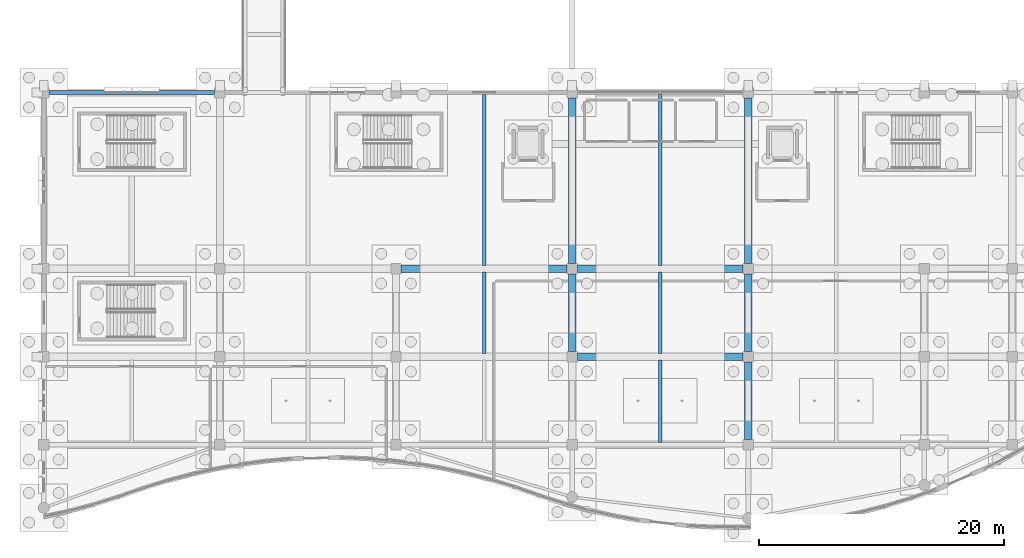
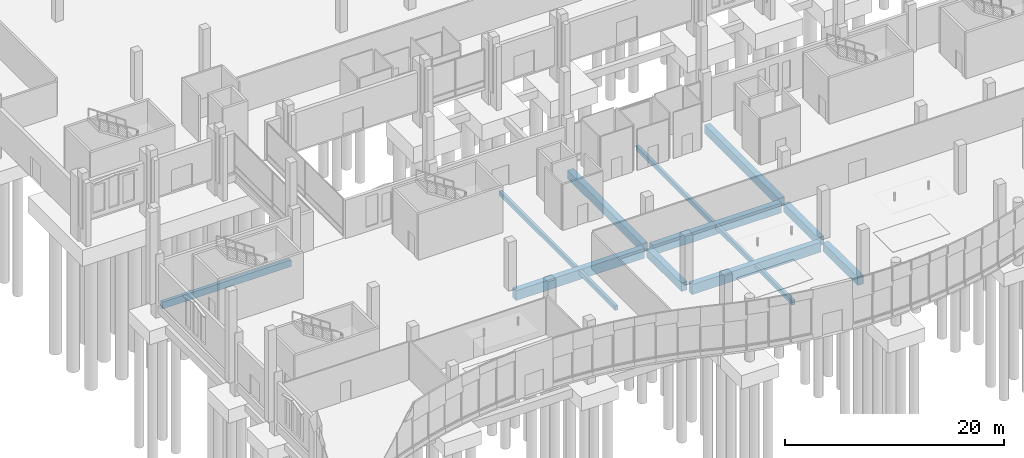
# One storey, part 33 of 192: 14 beams.
"""IFC4 building model written with IfcOpenShell, lengths in metres."""

from ifc_helpers import new_model, si_unit, direction, frame, origin, origin_2d, place, context, subcontext, project, spatial, rectangle, extrude, material, material_profile, profile_set, type_object, element, save


model = new_model("IFC4")

# Units and contexts
model_context = context("Model", 3, precision=1e-05, world=origin(), true_north=direction((0.0, 1.0)))
body_context = subcontext(model_context, "Body", "Model", "MODEL_VIEW")
ifc_project = project(units=[si_unit("LENGTHUNIT", "METRE"), si_unit("AREAUNIT", "SQUARE_METRE"), si_unit("VOLUMEUNIT", "CUBIC_METRE"), si_unit("PLANEANGLEUNIT", "RADIAN"), si_unit("MASSUNIT", "GRAM", prefix="KILO")], contexts=[model_context])

# Site, building, storey
site_placement = place(None, origin())
site = spatial("IfcSite", under=ifc_project, at=site_placement, CompositionType="ELEMENT")
building_placement = place(site_placement, origin())
building = spatial("IfcBuilding", under=site, at=building_placement, Name="Cendralis Lancet Convention Centre", CompositionType="ELEMENT")
storey_placement = place(building_placement, origin())
storey = spatial("IfcBuildingStorey", under=building, at=storey_placement, Name="L00", CompositionType="ELEMENT", Elevation=0.0)

# Beams
ifc_material_1 = material(Name="Concrete G40 (C40/50)", Category="concrete")
ifc_material_profile_1 = material_profile(ifc_material_1, rectangle(XDim=0.60009765625, YDim=1.10009765625, at=origin_2d()), Name="RCB 600x1100")
ifc_profile_set_1 = profile_set([ifc_material_profile_1], Name="Concrete G40 (C40/50)")
beam_type_1 = type_object("IfcBeamType", Name="STR-BM-BG02", PredefinedType="BEAM", material=ifc_profile_set_1)
beam_1_placement = place(storey_placement, frame((43.625, 14.39990234375, -0.8701171875), z_axis=(1.0, 0.0, 0.0), x_axis=(0.0, 1.0, 0.0)))
element("IfcBeam", 1, at=beam_1_placement, inside=storey, type_object=beam_type_1, Name="L00 Beam BG02 #0665", PredefinedType="BEAM", context=body_context, shape_type="SweptSolid", body=[
    extrude(rectangle(XDim=0.60009765625, YDim=1.10009765625, at=origin_2d()), origin(), (0.0, 0.0, 1.0), 13.550048828125),
])
beam_2_placement = place(storey_placement, frame((29.22509765625, 21.60009765625, -0.8701171875), z_axis=(1.0, 0.0, 0.0), x_axis=(0.0, 1.0, 0.0)))
element("IfcBeam", 2, at=beam_2_placement, inside=storey, type_object=beam_type_1, Name="L00 Beam BG02 #0674", PredefinedType="BEAM", context=body_context, shape_type="SweptSolid", body=[
    extrude(rectangle(XDim=0.60009765625, YDim=1.10009765625, at=origin_2d()), origin(), (0.0, 0.0, 1.0), 13.5498046875),
])
beam_3_placement = place(storey_placement, frame((43.625, 21.60009765625, -0.8701171875), z_axis=(1.0, 0.0, 0.0), x_axis=(0.0, 1.0, 0.0)))
element("IfcBeam", 3, at=beam_3_placement, inside=storey, type_object=beam_type_1, Name="L00 Beam BG02 #0675", PredefinedType="BEAM", context=body_context, shape_type="SweptSolid", body=[
    extrude(rectangle(XDim=0.60009765625, YDim=1.10009765625, at=origin_2d()), origin(), (0.0, 0.0, 1.0), 13.550048828125),
])
ifc_material_profile_2 = material_profile(ifc_material_1, rectangle(XDim=0.60009765625, YDim=0.949951171875, at=origin_2d()), Name="RCB 600x950")
ifc_profile_set_2 = profile_set([ifc_material_profile_2], Name="Concrete G40 (C40/50)")
beam_type_2 = type_object("IfcBeamType", Name="STR-BM-BG04", PredefinedType="BEAM", material=ifc_profile_set_2)
beam_4_placement = place(storey_placement, frame((43.199951171875, 14.824951171875, -0.794921875), z_axis=(0.0, 1.0, 0.0), x_axis=(-1.0, 0.0, 0.0)))
element("IfcBeam", 4, at=beam_4_placement, inside=storey, type_object=beam_type_2, Name="L00 Beam BG04 #0701", PredefinedType="BEAM", context=body_context, shape_type="SweptSolid", body=[
    extrude(rectangle(XDim=0.60009765625, YDim=0.949951171875, at=origin_2d()), origin(), (0.0, 0.0, 1.0), 6.35009765625),
])
beam_5_placement = place(storey_placement, frame((43.199951171875, 22.02490234375, -0.794921875), z_axis=(0.0, 1.0, 0.0), x_axis=(-1.0, 0.0, 0.0)))
element("IfcBeam", 5, at=beam_5_placement, inside=storey, type_object=beam_type_2, Name="L00 Beam BG04 #0702", PredefinedType="BEAM", context=body_context, shape_type="SweptSolid", body=[
    extrude(rectangle(XDim=0.60009765625, YDim=0.949951171875, at=origin_2d()), origin(), (0.0, 0.0, 1.0), 13.550048828125),
])
for number, where, z_axis, x_axis, name in (
    (6, (57.60009765625, 7.625, -0.794921875), (0.0, 1.0, 0.0), (-1.0, 0.0, 0.0), "L00 Beam BG04 #0703"),
    (7, (57.60009765625, 14.824951171875, -0.794921875), (0.0, 1.0, 0.0), (-1.0, 0.0, 0.0), "L00 Beam BG04 #0704"),
):
    element("IfcBeam", number, at=place(storey_placement, frame(where, z_axis=z_axis, x_axis=x_axis)), inside=storey, type_object=beam_type_2, Name=name, PredefinedType="BEAM", context=body_context, shape_type="SweptSolid", body=[
        extrude(rectangle(XDim=0.60009765625, YDim=0.949951171875, at=origin_2d()), origin(), (0.0, 0.0, 1.0), 6.35009765625),
    ])
beam_6_placement = place(storey_placement, frame((57.60009765625, 22.02490234375, -0.794921875), z_axis=(0.0, 1.0, 0.0), x_axis=(-1.0, 0.0, 0.0)))
element("IfcBeam", 8, at=beam_6_placement, inside=storey, type_object=beam_type_2, Name="L00 Beam BG04 #0705", PredefinedType="BEAM", context=body_context, shape_type="SweptSolid", body=[
    extrude(rectangle(XDim=0.60009765625, YDim=0.949951171875, at=origin_2d()), origin(), (0.0, 0.0, 1.0), 13.550048828125),
])
ifc_material_2 = material(Name="Concrete G35 (C35/45)", Category="concrete")
ifc_material_profile_3 = material_profile(ifc_material_2, rectangle(XDim=0.300048828125, YDim=0.5, at=origin_2d()), Name="RCB 300x500")
ifc_profile_set_3 = profile_set([ifc_material_profile_3], Name="Concrete G35 (C35/45)")
beam_type_3 = type_object("IfcBeamType", Name="STR-JS-BJ03", PredefinedType="JOIST", material=ifc_profile_set_3)
beam_7_placement = place(storey_placement, frame((36.0, 14.675048828125, -0.570068359375), z_axis=(0.0, 1.0, 0.0), x_axis=(-1.0, 0.0, 0.0)))
element("IfcBeam", 9, at=beam_7_placement, inside=storey, type_object=beam_type_3, Name="L00 Beam BJ03 #0724", PredefinedType="JOIST", context=body_context, shape_type="SweptSolid", body=[
    extrude(rectangle(XDim=0.300048828125, YDim=0.5, at=origin_2d()), origin(), (0.0, 0.0, 1.0), 6.64990234375),
])
beam_8_placement = place(storey_placement, frame((36.0, 21.875, -0.570068359375), z_axis=(0.0, 1.0, 0.0), x_axis=(-1.0, 0.0, 0.0)))
element("IfcBeam", 10, at=beam_8_placement, inside=storey, type_object=beam_type_3, Name="L00 Beam BJ03 #0725", PredefinedType="JOIST", context=body_context, shape_type="SweptSolid", body=[
    extrude(rectangle(XDim=0.300048828125, YDim=0.5, at=origin_2d()), origin(), (0.0, 0.0, 1.0), 13.949951171875),
])
beam_9_placement = place(storey_placement, frame((50.39990234375, 7.375, -0.570068359375), z_axis=(0.0, 1.0, 0.0), x_axis=(-1.0, 0.0, 0.0)))
element("IfcBeam", 11, at=beam_9_placement, inside=storey, type_object=beam_type_3, Name="L00 Beam BJ03 #0726", PredefinedType="JOIST", context=body_context, shape_type="SweptSolid", body=[
    extrude(rectangle(XDim=0.300048828125, YDim=0.5, at=origin_2d()), origin(), (0.0, 0.0, 1.0), 6.75),
])
beam_10_placement = place(storey_placement, frame((50.39990234375, 14.675048828125, -0.570068359375), z_axis=(0.0, 1.0, 0.0), x_axis=(-1.0, 0.0, 0.0)))
element("IfcBeam", 12, at=beam_10_placement, inside=storey, type_object=beam_type_3, Name="L00 Beam BJ03 #0727", PredefinedType="JOIST", context=body_context, shape_type="SweptSolid", body=[
    extrude(rectangle(XDim=0.300048828125, YDim=0.5, at=origin_2d()), origin(), (0.0, 0.0, 1.0), 6.64990234375),
])
beam_11_placement = place(storey_placement, frame((50.39990234375, 21.875, -0.570068359375), z_axis=(0.0, 1.0, 0.0), x_axis=(-1.0, 0.0, 0.0)))
element("IfcBeam", 13, at=beam_11_placement, inside=storey, type_object=beam_type_3, Name="L00 Beam BJ03 #0728", PredefinedType="JOIST", context=body_context, shape_type="SweptSolid", body=[
    extrude(rectangle(XDim=0.300048828125, YDim=0.5, at=origin_2d()), origin(), (0.0, 0.0, 1.0), 13.949951171875),
])
ifc_material_profile_4 = material_profile(ifc_material_1, rectangle(XDim=0.35009765625, YDim=0.75, at=origin_2d()), Name="RCB 350x750")
ifc_profile_set_4 = profile_set([ifc_material_profile_4], Name="Concrete G40 (C40/50)")
beam_type_4 = type_object("IfcBeamType", Name="STR-SP-SP01", PredefinedType="SPANDREL", material=ifc_profile_set_4)
beam_12_placement = place(storey_placement, frame((0.425048828125, 36.0, -0.695068359375), z_axis=(1.0, 0.0, 0.0), x_axis=(0.0, 1.0, 0.0)))
element("IfcBeam", 14, at=beam_12_placement, inside=storey, type_object=beam_type_4, Name="L00 Beam SP01 #0682", PredefinedType="SPANDREL", context=body_context, shape_type="SweptSolid", body=[
    extrude(rectangle(XDim=0.35009765625, YDim=0.75, at=origin_2d()), origin(), (0.0, 0.0, 1.0), 13.550048828125),
])

save(model, "model.ifc")
